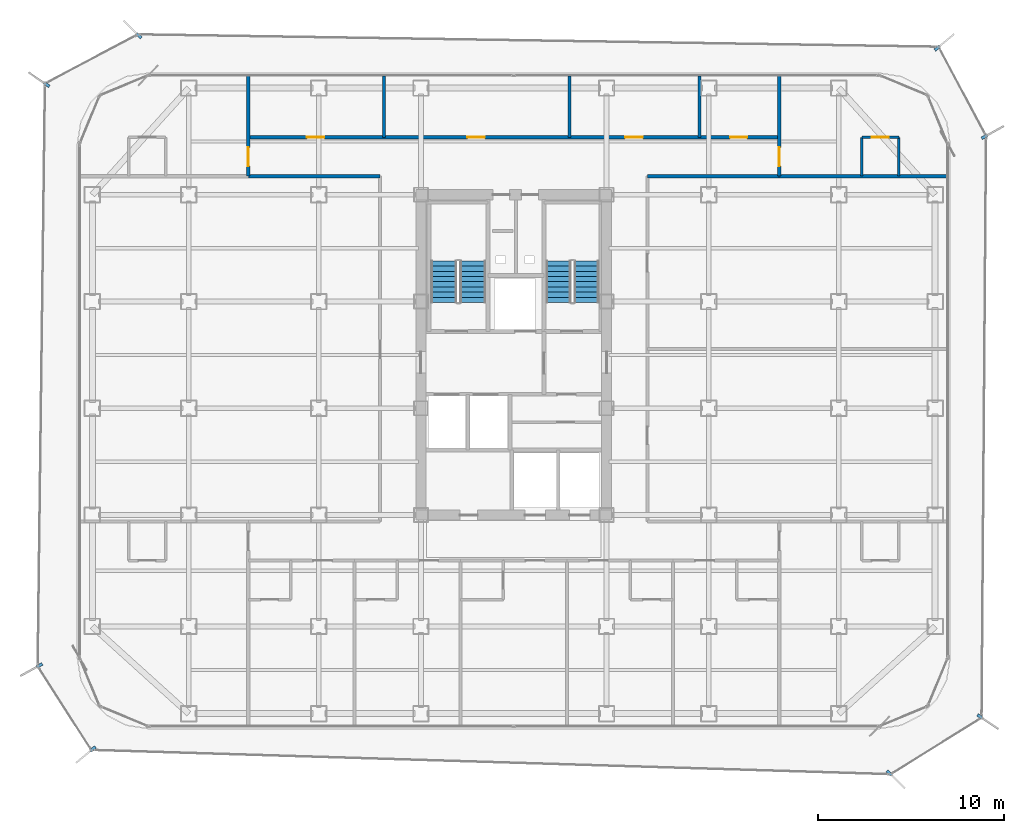
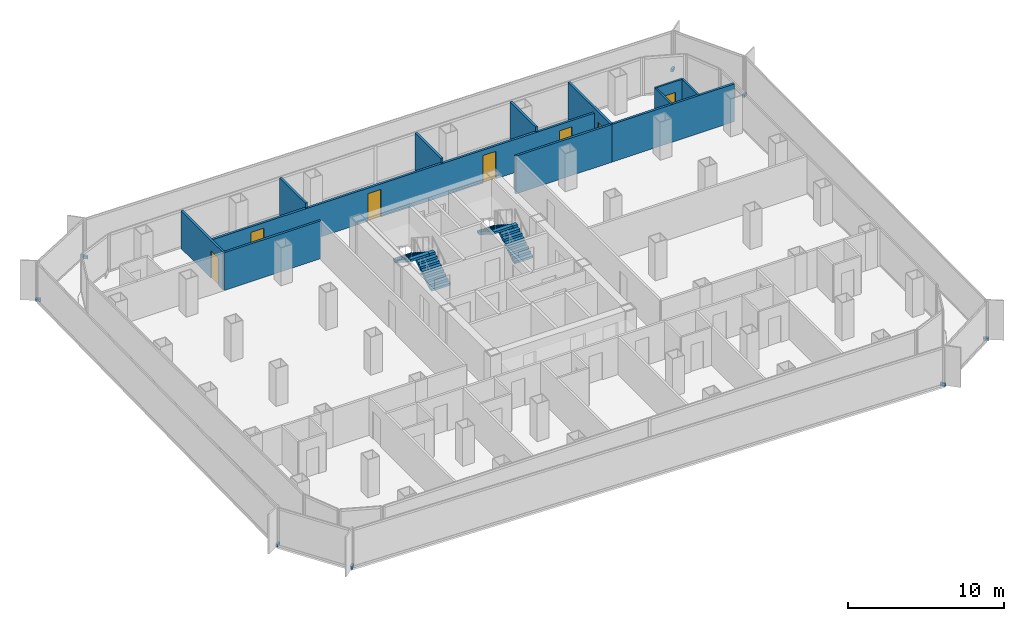
# One storey, part 18 of 21: 12 walls, 8 discrete accessories, 7 doors, 4 stair flights, 7 openings, 2 elements without a shape of their own.
"""IFC4 building model written with IfcOpenShell, lengths in metres."""

from ifc_helpers import new_model, si_unit, direction, frame, frame_2d, origin, origin_2d, place, context, subcontext, project, spatial, polyline, rectangle, outline, extrude, source, transform, mapped, material, layer, layer_set, type_object, element, fill, aggregate, save


model = new_model("IFC4")

# Units and contexts
model_context = context("Model", 3, precision=1e-05, world=origin(), true_north=direction((0.0, 1.0)))
body_context = subcontext(model_context, "Body", "Model", "MODEL_VIEW")
ifc_project = project(units=[si_unit("LENGTHUNIT", "METRE"), si_unit("AREAUNIT", "SQUARE_METRE"), si_unit("VOLUMEUNIT", "CUBIC_METRE"), si_unit("PLANEANGLEUNIT", "RADIAN"), si_unit("MASSUNIT", "GRAM", prefix="KILO")], contexts=[model_context])

# Site, building, storey
site_placement = place(None, origin())
site = spatial("IfcSite", under=ifc_project, at=site_placement, CompositionType="ELEMENT")
building_placement = place(site_placement, origin())
building = spatial("IfcBuilding", under=site, at=building_placement, Name="Kolveth Station Tower", CompositionType="ELEMENT")
storey_placement = place(building_placement, frame((0.0, 0.0, 99.10009765625)))
storey = spatial("IfcBuildingStorey", under=building, at=storey_placement, Name="L26", CompositionType="ELEMENT", Elevation=99.10009765625)

# Walls
ifc_material_1 = material(Name="Moisture-resistant gypsum partition")
ifc_layer_1 = layer(ifc_material_1, 0.135009765625)
ifc_layer_set_1 = layer_set([ifc_layer_1], Name="Moisture-resistant gypsum partition")
wall_type_1 = type_object("IfcWallType", Name="Wall_IW-135", PredefinedType="PARTITIONING", material=ifc_layer_set_1)
for number, where, z_axis, x_axis, name in (
    (1, (42.25, 29.75, 0.0), (0.0, 0.0, 1.0), (0.0, 1.0, 0.0), "L26 Partition Wall WL-L26-ES2-BV1"),
    (2, (44.25, 29.75, 0.0), (0.0, 0.0, 1.0), (0.0, 1.0, 0.0), "L26 Partition Wall WL-L26-ES2-BV2"),
):
    element("IfcWall", number, at=place(storey_placement, frame(where, z_axis=z_axis, x_axis=x_axis)), inside=storey, type_object=wall_type_1, Name=name, PredefinedType="PARTITIONING", context=body_context, shape_type="SweptSolid", body=[
        extrude(rectangle(XDim=2.10009765625, YDim=0.135009765625, at=frame_2d((1.050048828125, 0.0))), origin(), (0.0, 0.0, 1.0), 2.949951171875),
    ])

# Wall, opening, door
wall_1_placement = place(storey_placement, frame((42.25, 31.85009765625, 0.0), z_axis=(0.0, 0.0, 1.0), x_axis=(1.0, 0.0, 0.0)))
wall_1 = element("IfcWall", 3, at=wall_1_placement, inside=storey, type_object=wall_type_1, Name="L26 Partition Wall WL-L26-ES2-BH", PredefinedType="PARTITIONING", context=body_context, shape_type="SweptSolid", body=[
    extrude(rectangle(XDim=2.0, YDim=0.135009765625, at=frame_2d((1.0, 0.0))), origin(), (0.0, 0.0, 1.0), 2.949951171875),
])
opening_1_placement = place(wall_1_placement, frame((0.5400390625, 0.0, 0.0)))
opening_1 = element("IfcOpeningElement", 4, at=opening_1_placement, cuts=wall_1, Name="Opening ID2", PredefinedType="OPENING", context=body_context, shape_type="SweptSolid", body=[
    extrude(rectangle(XDim=0.919921875, YDim=2.10009765625, at=frame_2d((0.4599609375, 1.050048828125))), frame((0.0, 0.077392578125, 0.0), z_axis=(0.0, -1.0, 0.0), x_axis=(1.0, 0.0, 0.0)), (0.0, 0.0, 1.0), 0.155029296875),
])
ifc_material_2 = material(Name="Moisture-resistant hardwood leaf", Category="wood")
door_type_1 = type_object("IfcDoorType", Name="Door_ID2", OperationType="NOTDEFINED", PredefinedType="DOOR", material=ifc_material_2)
door_1_placement = place(opening_1_placement, frame((0.919921875, 0.0, 0.0), z_axis=(0.0, 0.0, 1.0), x_axis=(-1.0, 0.0, 0.0)))
door_1 = element("IfcDoor", 5, at=door_1_placement, inside=storey, type_object=door_type_1, Name="L26 Hotel Corner Suite ES2 En-Suite Door", OperationType="SINGLE_SWING_LEFT", OverallHeight=2.10009765625, OverallWidth=0.919921875, PredefinedType="DOOR", context=body_context, shape_type="SweptSolid", body=[
    extrude(rectangle(XDim=0.919921875, YDim=2.10009765625, at=frame_2d((0.4599609375, 1.050048828125))), frame((0.0, 0.02490234375, 0.0), z_axis=(0.0, -1.0, 0.0), x_axis=(1.0, 0.0, 0.0)), (0.0, 0.0, 1.0), 0.050048828125),
])
fill(opening_1, door_1)

# Wall, openings, doors
ifc_material_3 = material(Name="Acoustic double-stud gypsum partition")
ifc_layer_2 = layer(ifc_material_3, 0.1650390625)
ifc_layer_set_2 = layer_set([ifc_layer_2], Name="Acoustic double-stud gypsum partition")
wall_type_2 = type_object("IfcWallType", Name="Wall_IW-165", PredefinedType="PARTITIONING", material=ifc_layer_set_2)
wall_2_placement = place(storey_placement, frame((9.199951171875, 31.85009765625, 0.0), z_axis=(0.0, 0.0, 1.0), x_axis=(1.0, 0.0, 0.0)))
wall_2 = element("IfcWall", 6, at=wall_2_placement, inside=storey, type_object=wall_type_2, Name="L26 Partition Wall WL-L26-HN", PredefinedType="PARTITIONING", context=body_context, shape_type="SweptSolid", body=[
    extrude(rectangle(XDim=28.60009765625, YDim=0.1650390625, at=frame_2d((14.300048828125, 0.0))), origin(), (0.0, 0.0, 1.0), 2.5830078125),
])
opening_2_placement = place(wall_2_placement, frame((3.14990234375, 0.0, 0.0)))
opening_2 = element("IfcOpeningElement", 7, at=opening_2_placement, cuts=wall_2, Name="Opening ID1", PredefinedType="OPENING", context=body_context, shape_type="SweptSolid", body=[
    extrude(rectangle(XDim=0.949951171875, YDim=2.14990234375, at=frame_2d((0.47509765625, 1.074951171875))), frame((0.0, 0.092529296875, 0.0), z_axis=(0.0, -1.0, 0.0), x_axis=(1.0, 0.0, 0.0)), (0.0, 0.0, 1.0), 0.18505859375),
])
opening_3_placement = place(wall_2_placement, frame((11.800048828125, 0.0, 0.0)))
opening_3 = element("IfcOpeningElement", 8, at=opening_3_placement, cuts=wall_2, Name="Opening ID1", PredefinedType="OPENING", context=body_context, shape_type="SweptSolid", body=[
    extrude(rectangle(XDim=0.949951171875, YDim=2.14990234375, at=frame_2d((0.47509765625, 1.074951171875))), frame((0.0, 0.092529296875, 0.0), z_axis=(0.0, -1.0, 0.0), x_axis=(1.0, 0.0, 0.0)), (0.0, 0.0, 1.0), 0.18505859375),
])
opening_4_placement = place(wall_2_placement, frame((20.300048828125, 0.0, 0.0)))
opening_4 = element("IfcOpeningElement", 9, at=opening_4_placement, cuts=wall_2, Name="Opening ID1", PredefinedType="OPENING", context=body_context, shape_type="SweptSolid", body=[
    extrude(rectangle(XDim=0.949951171875, YDim=2.14990234375, at=frame_2d((0.47509765625, 1.074951171875))), frame((0.0, 0.092529296875, 0.0), z_axis=(0.0, -1.0, 0.0), x_axis=(1.0, 0.0, 0.0)), (0.0, 0.0, 1.0), 0.18505859375),
])
opening_5_placement = place(wall_2_placement, frame((25.949951171875, 0.0, 0.0)))
opening_5 = element("IfcOpeningElement", 10, at=opening_5_placement, cuts=wall_2, Name="Opening ID2", PredefinedType="OPENING", context=body_context, shape_type="SweptSolid", body=[
    extrude(rectangle(XDim=0.919921875, YDim=2.10009765625, at=frame_2d((0.4599609375, 1.050048828125))), frame((0.0, 0.092529296875, 0.0), z_axis=(0.0, -1.0, 0.0), x_axis=(1.0, 0.0, 0.0)), (0.0, 0.0, 1.0), 0.18505859375),
])
ifc_material_4 = material(Name="Acoustic hardwood leaf and aluminium frame", Category="wood")
door_type_2 = type_object("IfcDoorType", Name="Door_ID1", OperationType="NOTDEFINED", PredefinedType="DOOR", material=ifc_material_4)
door_2_placement = place(opening_2_placement, origin())
door_2 = element("IfcDoor", 11, at=door_2_placement, inside=storey, type_object=door_type_2, Name="L26 Hospitality Meeting Room 1 Door", OperationType="SINGLE_SWING_LEFT", OverallHeight=2.14990234375, OverallWidth=0.949951171875, PredefinedType="DOOR", context=body_context, shape_type="SweptSolid", body=[
    extrude(rectangle(XDim=0.949951171875, YDim=2.14990234375, at=frame_2d((0.47509765625, 1.074951171875))), frame((0.0, 0.02490234375, 0.0), z_axis=(0.0, -1.0, 0.0), x_axis=(1.0, 0.0, 0.0)), (0.0, 0.0, 1.0), 0.050048828125),
])
fill(opening_2, door_2)
door_3_placement = place(opening_3_placement, origin())
door_3 = element("IfcDoor", 12, at=door_3_placement, inside=storey, type_object=door_type_2, Name="L26 Hospitality Meeting Room 2 Door", OperationType="SINGLE_SWING_RIGHT", OverallHeight=2.14990234375, OverallWidth=0.949951171875, PredefinedType="DOOR", context=body_context, shape_type="SweptSolid", body=[
    extrude(rectangle(XDim=0.949951171875, YDim=2.14990234375, at=frame_2d((0.47509765625, 1.074951171875))), frame((0.0, 0.02490234375, 0.0), z_axis=(0.0, -1.0, 0.0), x_axis=(1.0, 0.0, 0.0)), (0.0, 0.0, 1.0), 0.050048828125),
])
fill(opening_3, door_3)
door_4_placement = place(opening_4_placement, origin())
door_4 = element("IfcDoor", 13, at=door_4_placement, inside=storey, type_object=door_type_2, Name="L26 Floor Service Pantry Door", OperationType="SINGLE_SWING_LEFT", OverallHeight=2.14990234375, OverallWidth=0.949951171875, PredefinedType="DOOR", context=body_context, shape_type="SweptSolid", body=[
    extrude(rectangle(XDim=0.949951171875, YDim=2.14990234375, at=frame_2d((0.47509765625, 1.074951171875))), frame((0.0, 0.02490234375, 0.0), z_axis=(0.0, -1.0, 0.0), x_axis=(1.0, 0.0, 0.0)), (0.0, 0.0, 1.0), 0.050048828125),
])
fill(opening_4, door_4)
door_5_placement = place(opening_5_placement, origin())
door_5 = element("IfcDoor", 14, at=door_5_placement, inside=storey, type_object=door_type_1, Name="L26 Accessible Guest WC Door", OperationType="SINGLE_SWING_RIGHT", OverallHeight=2.10009765625, OverallWidth=0.919921875, PredefinedType="DOOR", context=body_context, shape_type="SweptSolid", body=[
    extrude(rectangle(XDim=0.919921875, YDim=2.10009765625, at=frame_2d((0.4599609375, 1.050048828125))), frame((0.0, 0.02490234375, 0.0), z_axis=(0.0, -1.0, 0.0), x_axis=(1.0, 0.0, 0.0)), (0.0, 0.0, 1.0), 0.050048828125),
])
fill(opening_5, door_5)

# Walls
for number, where, z_axis, x_axis, name in (
    (15, (9.199951171875, 29.75, 0.0), (0.0, 0.0, 1.0), (1.0, 0.0, 0.0), "L26 Partition Wall WL-L26-HNWB"),
    (16, (30.699951171875, 29.75, 0.0), (0.0, 0.0, 1.0), (1.0, 0.0, 0.0), "L26 Partition Wall WL-L26-HNEB"),
):
    element("IfcWall", number, at=place(storey_placement, frame(where, z_axis=z_axis, x_axis=x_axis)), inside=storey, type_object=wall_type_2, Name=name, PredefinedType="PARTITIONING", context=body_context, shape_type="SweptSolid", body=[
        extrude(rectangle(XDim=7.10009765625, YDim=0.1650390625, at=frame_2d((3.550048828125, 0.0))), origin(), (0.0, 0.0, 1.0), 2.949951171875),
    ])

# Wall, opening, door
wall_3_placement = place(storey_placement, frame((9.199951171875, 29.75, 0.0), z_axis=(0.0, 0.0, 1.0), x_axis=(0.0, 1.0, 0.0)))
wall_3 = element("IfcWall", 17, at=wall_3_placement, inside=storey, type_object=wall_type_2, Name="L26 Partition Wall WL-L26-END-WN", PredefinedType="PARTITIONING", context=body_context, shape_type="SweptSolid", body=[
    extrude(rectangle(XDim=5.389892578125, YDim=0.1650390625, at=frame_2d((2.69482421875, 0.0))), origin(), (0.0, 0.0, 1.0), 2.949951171875),
])
opening_6_placement = place(wall_3_placement, frame((0.550048828125, 0.0, 0.0)))
opening_6 = element("IfcOpeningElement", 18, at=opening_6_placement, cuts=wall_3, Name="Opening FD3", PredefinedType="OPENING", context=body_context, shape_type="SweptSolid", body=[
    extrude(rectangle(XDim=1.0, YDim=2.14990234375, at=frame_2d((0.5, 1.074951171875))), frame((0.0, 0.092529296875, 0.0), z_axis=(0.0, -1.0, 0.0), x_axis=(1.0, 0.0, 0.0)), (0.0, 0.0, 1.0), 0.18505859375),
])
ifc_material_5 = material(Name="Fire-rated hardwood leaf and aluminium frame", Category="wood")
door_type_3 = type_object("IfcDoorType", Name="Door_FD3", OperationType="NOTDEFINED", PredefinedType="DOOR", material=ifc_material_5)
door_6_placement = place(opening_6_placement, origin())
door_6 = element("IfcDoor", 19, at=door_6_placement, inside=storey, type_object=door_type_3, Name="L26 Hotel Guest Room WS2 Entrance Door", OperationType="SINGLE_SWING_RIGHT", OverallHeight=2.14990234375, OverallWidth=1.0, PredefinedType="DOOR", context=body_context, shape_type="SweptSolid", body=[
    extrude(rectangle(XDim=1.0, YDim=2.14990234375, at=frame_2d((0.5, 1.074951171875))), frame((0.0, 0.02490234375, 0.0), z_axis=(0.0, -1.0, 0.0), x_axis=(1.0, 0.0, 0.0)), (0.0, 0.0, 1.0), 0.050048828125),
])
fill(opening_6, door_6)

wall_4_placement = place(storey_placement, frame((37.800048828125, 29.75, 0.0), z_axis=(0.0, 0.0, 1.0), x_axis=(0.0, 1.0, 0.0)))
wall_4 = element("IfcWall", 20, at=wall_4_placement, inside=storey, type_object=wall_type_2, Name="L26 Partition Wall WL-L26-END-EN", PredefinedType="PARTITIONING", context=body_context, shape_type="SweptSolid", body=[
    extrude(rectangle(XDim=5.389892578125, YDim=0.1650390625, at=frame_2d((2.69482421875, 0.0))), origin(), (0.0, 0.0, 1.0), 2.949951171875),
])
opening_7_placement = place(wall_4_placement, frame((0.550048828125, 0.0, 0.0)))
opening_7 = element("IfcOpeningElement", 21, at=opening_7_placement, cuts=wall_4, Name="Opening FD3", PredefinedType="OPENING", context=body_context, shape_type="SweptSolid", body=[
    extrude(rectangle(XDim=1.0, YDim=2.14990234375, at=frame_2d((0.5, 1.074951171875))), frame((0.0, 0.092529296875, 0.0), z_axis=(0.0, -1.0, 0.0), x_axis=(1.0, 0.0, 0.0)), (0.0, 0.0, 1.0), 0.18505859375),
])
door_7_placement = place(opening_7_placement, frame((1.0, 0.0, 0.0), z_axis=(0.0, 0.0, 1.0), x_axis=(-1.0, 0.0, 0.0)))
door_7 = element("IfcDoor", 22, at=door_7_placement, inside=storey, type_object=door_type_3, Name="L26 Hotel Corner Suite ES2 Entrance Door", OperationType="SINGLE_SWING_RIGHT", OverallHeight=2.14990234375, OverallWidth=1.0, PredefinedType="DOOR", context=body_context, shape_type="SweptSolid", body=[
    extrude(rectangle(XDim=1.0, YDim=2.14990234375, at=frame_2d((0.5, 1.074951171875))), frame((0.0, 0.02490234375, 0.0), z_axis=(0.0, -1.0, 0.0), x_axis=(1.0, 0.0, 0.0)), (0.0, 0.0, 1.0), 0.050048828125),
])
fill(opening_7, door_7)

# Walls
wall_5_placement = place(storey_placement, frame((37.800048828125, 29.75, 0.0), z_axis=(0.0, 0.0, 1.0), x_axis=(1.0, 0.0, 0.0)))
element("IfcWall", 23, at=wall_5_placement, inside=storey, type_object=wall_type_2, Name="L26 Partition Wall WL-L26-EM2", PredefinedType="PARTITIONING", context=body_context, shape_type="SweptSolid", body=[
    extrude(rectangle(XDim=9.0400390625, YDim=0.1650390625, at=frame_2d((4.52001953125, 0.0))), origin(), (0.0, 0.0, 1.0), 2.949951171875),
])
for number, where, z_axis, x_axis, name in (
    (24, (16.5, 31.85009765625, 0.0), (0.0, 0.0, 1.0), (0.0, 1.0, 0.0), "L26 Partition Wall WL-L26-HN-P1"),
    (25, (26.5, 31.85009765625, 0.0), (0.0, 0.0, 1.0), (0.0, 1.0, 0.0), "L26 Partition Wall WL-L26-HN-P2"),
    (26, (33.5, 31.85009765625, 0.0), (0.0, 0.0, 1.0), (0.0, 1.0, 0.0), "L26 Partition Wall WL-L26-HN-P3"),
):
    element("IfcWall", number, at=place(storey_placement, frame(where, z_axis=z_axis, x_axis=x_axis)), inside=storey, type_object=wall_type_2, Name=name, PredefinedType="PARTITIONING", context=body_context, shape_type="SweptSolid", body=[
        extrude(rectangle(XDim=3.289794921875, YDim=0.1650390625, at=frame_2d((1.64501953125, 0.0))), origin(), (0.0, 0.0, 1.0), 2.949951171875),
    ])

# Stair, stair flights
ifc_material_6 = material(Name="Concrete C40/50", Category="concrete")
stair_type_1 = type_object("IfcStairType", Name="Stair_ST1", PredefinedType="HALF_TURN_STAIR", material=ifc_material_6)
stair_1_placement = place(storey_placement, origin())
stair_1 = element("IfcStair", 27, at=stair_1_placement, inside=storey, type_object=stair_type_1, Name="L26 Tower Exit Stair ST1", PredefinedType="HALF_TURN_STAIR")
ifc_layer_3 = layer(ifc_material_6, 0.179931640625)
ifc_layer_set_3 = layer_set([ifc_layer_3], Name="Concrete C40/50")
stair_flight_type_1 = type_object("IfcStairFlightType", Name="Flight_ST1", PredefinedType="STRAIGHT", material=ifc_layer_set_3)
stair_flight_1_placement = place(storey_placement, frame((21.300048828125, 22.949951171875, 0.0), z_axis=(0.0, 0.0, 1.0), x_axis=(0.0, 1.0, 0.0)))
stair_flight_1 = element("IfcStairFlight", 28, at=stair_flight_1_placement, type_object=stair_flight_type_1, Name="ST1 flight 1", NumberOfRisers=9, NumberOfTreads=8, PredefinedType="STRAIGHT", RiserHeight=0.177777778, TreadLength=0.28, context=body_context, shape_type="SweptSolid", body=[
    extrude(outline(polyline([(0.0, 0.0), (0.0, 0.177734375), (0.280029296875, 0.177734375), (0.280029296875, 0.35546875), (0.56005859375, 0.35546875), (0.56005859375, 0.533447265625), (0.840087890625, 0.533447265625), (0.840087890625, 0.711181640625), (1.1201171875, 0.711181640625), (1.1201171875, 0.888916015625), (1.39990234375, 0.888916015625), (1.39990234375, 1.066650390625), (1.679931640625, 1.066650390625), (1.679931640625, 1.244384765625), (1.9599609375, 1.244384765625), (1.9599609375, 1.422119140625), (2.239990234375, 1.422119140625), (2.239990234375, 1.60009765625), (2.239990234375, 1.24462890625), (0.27978515625, 0.0), (0.0, 0.0)])), frame((0.0, 0.699951171875, 0.0), z_axis=(0.0, -1.0, 0.0), x_axis=(1.0, 0.0, 0.0)), (0.0, 0.0, 1.0), 1.39990234375),
])
stair_flight_2_placement = place(storey_placement, frame((19.739990234375, 25.18994140625, 1.599853515625), z_axis=(0.0, 0.0, 1.0), x_axis=(0.0, -1.0, 0.0)))
stair_flight_2 = element("IfcStairFlight", 29, at=stair_flight_2_placement, type_object=stair_flight_type_1, Name="ST1 flight 2", NumberOfRisers=9, NumberOfTreads=8, PredefinedType="STRAIGHT", RiserHeight=0.177777778, TreadLength=0.28, context=body_context, shape_type="SweptSolid", body=[
    extrude(outline(polyline([(0.0, 0.0), (0.0, 0.177734375), (0.280029296875, 0.177734375), (0.280029296875, 0.35546875), (0.56005859375, 0.35546875), (0.56005859375, 0.533447265625), (0.840087890625, 0.533447265625), (0.840087890625, 0.711181640625), (1.1201171875, 0.711181640625), (1.1201171875, 0.888916015625), (1.39990234375, 0.888916015625), (1.39990234375, 1.066650390625), (1.679931640625, 1.066650390625), (1.679931640625, 1.244384765625), (1.9599609375, 1.244384765625), (1.9599609375, 1.422119140625), (2.239990234375, 1.422119140625), (2.239990234375, 1.60009765625), (2.239990234375, 1.24462890625), (0.27978515625, 0.0), (0.0, 0.0)])), frame((0.0, 0.699951171875, 0.0), z_axis=(0.0, -1.0, 0.0), x_axis=(1.0, 0.0, 0.0)), (0.0, 0.0, 1.0), 1.39990234375),
])
aggregate(stair_1, [stair_flight_1, stair_flight_2])

stair_type_2 = type_object("IfcStairType", Name="Stair_ST2", PredefinedType="HALF_TURN_STAIR", material=ifc_material_6)
stair_2_placement = place(storey_placement, origin())
stair_2 = element("IfcStair", 30, at=stair_2_placement, inside=storey, type_object=stair_type_2, Name="L26 Tower Exit Stair ST2", PredefinedType="HALF_TURN_STAIR")
ifc_layer_4 = layer(ifc_material_6, 0.179931640625)
ifc_layer_set_4 = layer_set([ifc_layer_4], Name="Concrete C40/50")
stair_flight_type_2 = type_object("IfcStairFlightType", Name="Flight_ST2", PredefinedType="STRAIGHT", material=ifc_layer_set_4)
stair_flight_3_placement = place(storey_placement, frame((27.425048828125, 22.949951171875, 0.0), z_axis=(0.0, 0.0, 1.0), x_axis=(0.0, 1.0, 0.0)))
stair_flight_3 = element("IfcStairFlight", 31, at=stair_flight_3_placement, type_object=stair_flight_type_2, Name="ST2 flight 1", NumberOfRisers=9, NumberOfTreads=8, PredefinedType="STRAIGHT", RiserHeight=0.177777778, TreadLength=0.28, context=body_context, shape_type="SweptSolid", body=[
    extrude(outline(polyline([(0.0, 0.0), (0.0, 0.177734375), (0.280029296875, 0.177734375), (0.280029296875, 0.35546875), (0.56005859375, 0.35546875), (0.56005859375, 0.533447265625), (0.840087890625, 0.533447265625), (0.840087890625, 0.711181640625), (1.1201171875, 0.711181640625), (1.1201171875, 0.888916015625), (1.39990234375, 0.888916015625), (1.39990234375, 1.066650390625), (1.679931640625, 1.066650390625), (1.679931640625, 1.244384765625), (1.9599609375, 1.244384765625), (1.9599609375, 1.422119140625), (2.239990234375, 1.422119140625), (2.239990234375, 1.60009765625), (2.239990234375, 1.24462890625), (0.27978515625, 0.0), (0.0, 0.0)])), frame((0.0, 0.675048828125, 0.0), z_axis=(0.0, -1.0, 0.0), x_axis=(1.0, 0.0, 0.0)), (0.0, 0.0, 1.0), 1.35009765625),
])
stair_flight_4_placement = place(storey_placement, frame((25.9150390625, 25.18994140625, 1.599853515625), z_axis=(0.0, 0.0, 1.0), x_axis=(0.0, -1.0, 0.0)))
stair_flight_4 = element("IfcStairFlight", 32, at=stair_flight_4_placement, type_object=stair_flight_type_2, Name="ST2 flight 2", NumberOfRisers=9, NumberOfTreads=8, PredefinedType="STRAIGHT", RiserHeight=0.177777778, TreadLength=0.28, context=body_context, shape_type="SweptSolid", body=[
    extrude(outline(polyline([(0.0, 0.0), (0.0, 0.177734375), (0.280029296875, 0.177734375), (0.280029296875, 0.35546875), (0.56005859375, 0.35546875), (0.56005859375, 0.533447265625), (0.840087890625, 0.533447265625), (0.840087890625, 0.711181640625), (1.1201171875, 0.711181640625), (1.1201171875, 0.888916015625), (1.39990234375, 0.888916015625), (1.39990234375, 1.066650390625), (1.679931640625, 1.066650390625), (1.679931640625, 1.244384765625), (1.9599609375, 1.244384765625), (1.9599609375, 1.422119140625), (2.239990234375, 1.422119140625), (2.239990234375, 1.60009765625), (2.239990234375, 1.24462890625), (0.27978515625, 0.0), (0.0, 0.0)])), frame((0.0, 0.675048828125, 0.0), z_axis=(0.0, -1.0, 0.0), x_axis=(1.0, 0.0, 0.0)), (0.0, 0.0, 1.0), 1.35009765625),
])
aggregate(stair_2, [stair_flight_3, stair_flight_4])

# Discrete accessories
ifc_material_7 = material(Name="Steel S355", Category="steel")
discrete_accessory_type = type_object("IfcDiscreteAccessoryType", Name="Bracket_BK1", PredefinedType="BRACKET", material=ifc_material_7)
shared_shape = source(origin(), body_context, "Body", "SweptSolid", [
    extrude(rectangle(XDim=0.35009765625, YDim=0.159912109375, at=origin_2d()), origin(), (0.0, 0.0, 1.0), 0.219970703125),
])
for number, where, z_axis, x_axis, name in (
    (33, (43.73193359375, -2.39599609375, -0.06005859375), (0.0, 0.0, 1.0), (0.710308238555, -0.703890763003, 0.0), "L26 Double-Skin Radial Tie Bracket 1"),
    (34, (48.6240234375, 0.638916015625, -0.06005859375), (0.0, 0.0, 1.0), (0.828060334622, -0.560638994563, 0.0), "L26 Double-Skin Radial Tie Bracket 2"),
    (35, (48.862060546875, 31.8759765625, -0.06005859375), (0.0, 0.0, 1.0), (0.8721546725, 0.489230239495, 0.0), "L26 Double-Skin Radial Tie Bracket 3"),
    (36, (46.31494140625, 36.654052734375, -0.06005859375), (0.0, 0.0, 1.0), (0.76839523211, 0.639975598965, 0.0), "L26 Double-Skin Radial Tie Bracket 4"),
    (37, (3.31591796875, 37.31494140625, -0.06005859375), (0.0, 0.0, 1.0), (-0.716301943425, 0.697790459842, 0.0), "L26 Double-Skin Radial Tie Bracket 5"),
    (38, (-1.6630859375, 34.68310546875, -0.06005859375), (0.0, 0.0, 1.0), (-0.828158171974, 0.560494462233, 0.0), "L26 Double-Skin Radial Tie Bracket 6"),
    (39, (-2.049072265625, 3.39990234375, -0.06005859375), (0.0, 0.0, 1.0), (-0.873347482699, -0.487097705254, 0.0), "L26 Double-Skin Radial Tie Bracket 7"),
    (40, (0.83203125, -1.095947265625, -0.06005859375), (0.0, 0.0, 1.0), (-0.770624482513, -0.637289500111, 0.0), "L26 Double-Skin Radial Tie Bracket 8"),
):
    element("IfcDiscreteAccessory", number, at=place(storey_placement, frame(where, z_axis=z_axis, x_axis=x_axis)), inside=storey, type_object=discrete_accessory_type, Name=name, PredefinedType="BRACKET", context=body_context, shape_type="MappedRepresentation", body=[
        mapped(shared_shape, transform((0.0, 0.0, 0.0), x_axis=(1.0, 0.0, 0.0), y_axis=(0.0, 1.0, 0.0), z_axis=(0.0, 0.0, 1.0), scale=1.0)),
    ])

save(model, "model.ifc")
